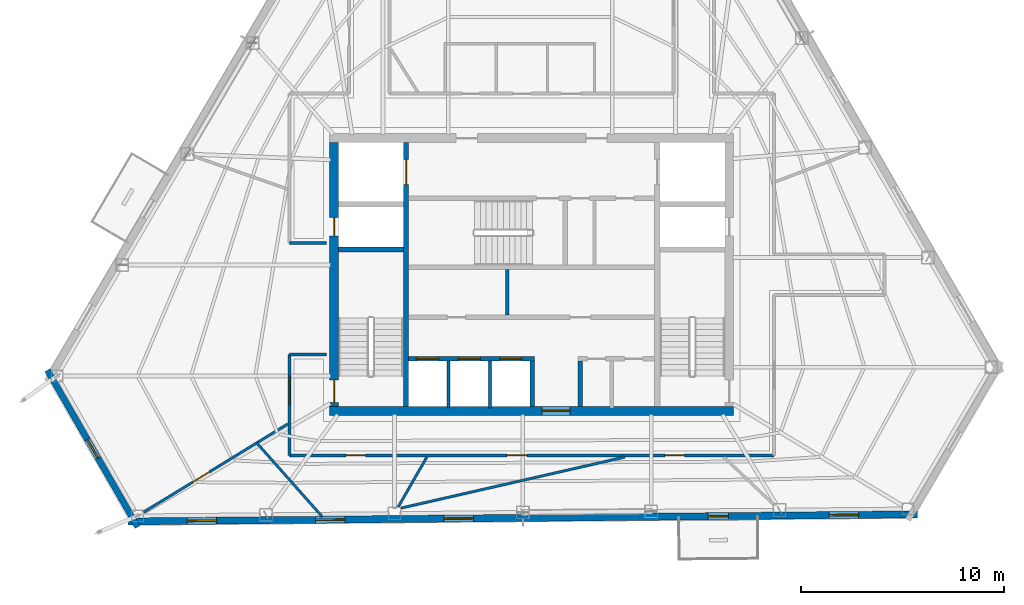
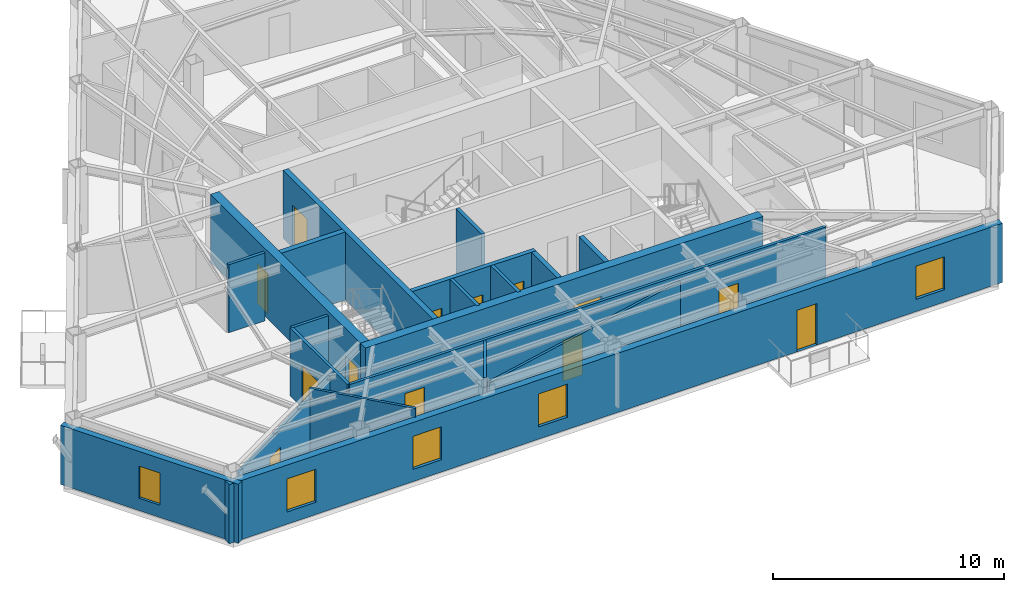
# One storey, part 8 of 14: 20 walls, 13 doors, 5 windows, 18 openings.
"""IFC4 building model written with IfcOpenShell, lengths in metres."""

from ifc_helpers import new_model, si_unit, direction, frame, frame_2d, origin, place, context, subcontext, project, spatial, rectangle, extrude, material, layer, layer_set, type_object, element, fill, save


model = new_model("IFC4")

# Units and contexts
model_context = context("Model", 3, precision=1e-05, world=origin(), true_north=direction((0.0, 1.0)))
body_context = subcontext(model_context, "Body", "Model", "MODEL_VIEW")
ifc_project = project(units=[si_unit("LENGTHUNIT", "METRE"), si_unit("AREAUNIT", "SQUARE_METRE"), si_unit("VOLUMEUNIT", "CUBIC_METRE"), si_unit("PLANEANGLEUNIT", "RADIAN"), si_unit("MASSUNIT", "GRAM", prefix="KILO")], contexts=[model_context])

# Site, building, storey
site_placement = place(None, origin())
site = spatial("IfcSite", under=ifc_project, at=site_placement, CompositionType="ELEMENT")
building_placement = place(site_placement, origin())
building = spatial("IfcBuilding", under=site, at=building_placement, Name="Kavelnor Concourse Tower", CompositionType="ELEMENT")
storey_placement = place(building_placement, frame((0.0, 0.0, 215.050048828125)))
storey = spatial("IfcBuildingStorey", under=building, at=storey_placement, Name="L54", CompositionType="ELEMENT", Elevation=215.050048828125)

# Wall, opening, door
ifc_material_1 = material(Name="Concrete C50/60", Category="concrete")
ifc_layer_1 = layer(ifc_material_1, 0.43994140625, Name="Concrete C50/60")
ifc_layer_set_1 = layer_set([ifc_layer_1], Name="Concrete C50/60")
wall_type_1 = type_object("IfcWallType", Name="WL-CORE-Z3-440", PredefinedType="SOLIDWALL", material=ifc_layer_set_1)
wall_1_placement = place(storey_placement, frame((28.0400390625, 9.3798828125, 0.0), z_axis=(0.0, 0.0, 1.0), x_axis=(1.0, 0.0, 0.0)))
wall_1 = element("IfcWall", 1, at=wall_1_placement, inside=storey, type_object=wall_type_1, Name="L54 Central Core South Shear Wall", PredefinedType="SOLIDWALL", context=body_context, shape_type="SweptSolid", body=[
    extrude(rectangle(XDim=19.919921875, YDim=0.43994140625, at=frame_2d((9.9599609375, 0.0))), origin(), (0.0, 0.0, 1.0), 3.599853515625),
])
opening_1_placement = place(wall_1_placement, frame((10.4599609375, 0.0, 0.0)))
opening_1 = element("IfcOpeningElement", 2, at=opening_1_placement, cuts=wall_1, Name="Opening SD-140", PredefinedType="OPENING", context=body_context, shape_type="SweptSolid", body=[
    extrude(rectangle(XDim=1.39990234375, YDim=2.199951171875, at=frame_2d((0.699951171875, 1.10009765625))), frame((0.0, 0.22998046875, 0.0), z_axis=(0.0, -1.0, 0.0), x_axis=(1.0, 0.0, 0.0)), (0.0, 0.0, 1.0), 0.4599609375),
])
ifc_material_2 = material(Name="Solid-core hardwood timber", Category="wood")
door_type_1 = type_object("IfcDoorType", Name="DR-SUITE-ENTRY-1400", OperationType="NOTDEFINED", PredefinedType="DOOR", material=ifc_material_2)
door_1_placement = place(opening_1_placement, origin())
door_1 = element("IfcDoor", 3, at=door_1_placement, inside=storey, type_object=door_type_1, Name="L54 Passenger Lift Lobby Entry Door", OperationType="SINGLE_SWING_LEFT", OverallHeight=2.199951171875, OverallWidth=1.39990234375, PredefinedType="DOOR", context=body_context, shape_type="SweptSolid", body=[
    extrude(rectangle(XDim=1.39990234375, YDim=2.199951171875, at=frame_2d((0.699951171875, 1.10009765625))), frame((0.0, 0.02490234375, 0.0), z_axis=(0.0, -1.0, 0.0), x_axis=(1.0, 0.0, 0.0)), (0.0, 0.0, 1.0), 0.050048828125),
])
fill(opening_1, door_1)

# Wall, openings, doors
wall_2_placement = place(storey_placement, frame((28.260009765625, 9.60009765625, 0.0), z_axis=(0.0, 0.0, 1.0), x_axis=(0.0, 1.0, 0.0)))
wall_2 = element("IfcWall", 4, at=wall_2_placement, inside=storey, type_object=wall_type_1, Name="L54 Central Core West Shear Wall", PredefinedType="SOLIDWALL", context=body_context, shape_type="SweptSolid", body=[
    extrude(rectangle(XDim=13.0, YDim=0.43994140625, at=frame_2d((6.5, 0.0))), origin(), (0.0, 0.0, 1.0), 3.599853515625),
])
opening_2_placement = place(wall_2_placement, frame((0.199951171875, 0.0, 0.0)))
opening_2 = element("IfcOpeningElement", 5, at=opening_2_placement, cuts=wall_2, Name="Opening FD-110", PredefinedType="OPENING", context=body_context, shape_type="SweptSolid", body=[
    extrude(rectangle(XDim=1.10009765625, YDim=2.14990234375, at=frame_2d((0.550048828125, 1.074951171875))), frame((0.0, 0.22998046875, 0.0), z_axis=(0.0, -1.0, 0.0), x_axis=(1.0, 0.0, 0.0)), (0.0, 0.0, 1.0), 0.4599609375),
])
opening_3_placement = place(wall_2_placement, frame((8.39990234375, 0.0, 0.0)))
opening_3 = element("IfcOpeningElement", 6, at=opening_3_placement, cuts=wall_2, Name="Opening FD-090", PredefinedType="OPENING", context=body_context, shape_type="SweptSolid", body=[
    extrude(rectangle(XDim=0.89990234375, YDim=2.10009765625, at=frame_2d((0.449951171875, 1.050048828125))), frame((0.0, 0.22998046875, 0.0), z_axis=(0.0, -1.0, 0.0), x_axis=(1.0, 0.0, 0.0)), (0.0, 0.0, 1.0), 0.4599609375),
])
ifc_material_3 = material(Name="Steel Grade 350", Category="steel")
door_type_2 = type_object("IfcDoorType", Name="DR-RISER-FIRE-900", OperationType="NOTDEFINED", PredefinedType="DOOR", material=ifc_material_3)
door_2_placement = place(opening_3_placement, origin())
door_2 = element("IfcDoor", 7, at=door_2_placement, inside=storey, type_object=door_type_2, Name="L54 West Riser Access Door", OperationType="SINGLE_SWING_RIGHT", OverallHeight=2.10009765625, OverallWidth=0.89990234375, PredefinedType="DOOR", context=body_context, shape_type="SweptSolid", body=[
    extrude(rectangle(XDim=0.89990234375, YDim=2.10009765625, at=frame_2d((0.449951171875, 1.050048828125))), frame((0.0, 0.02490234375, 0.0), z_axis=(0.0, -1.0, 0.0), x_axis=(1.0, 0.0, 0.0)), (0.0, 0.0, 1.0), 0.050048828125),
])
fill(opening_3, door_2)
door_type_3 = type_object("IfcDoorType", Name="DR-STAIR-FIRE-1100", OperationType="NOTDEFINED", PredefinedType="DOOR", material=ifc_material_3)
door_3_placement = place(opening_2_placement, origin())
door_3 = element("IfcDoor", 8, at=door_3_placement, inside=storey, type_object=door_type_3, Name="L54 Stair ST1 Fire Door", OperationType="SINGLE_SWING_LEFT", OverallHeight=2.14990234375, OverallWidth=1.10009765625, PredefinedType="DOOR", context=body_context, shape_type="SweptSolid", body=[
    extrude(rectangle(XDim=1.10009765625, YDim=2.14990234375, at=frame_2d((0.550048828125, 1.074951171875))), frame((0.0, 0.02490234375, 0.0), z_axis=(0.0, -1.0, 0.0), x_axis=(1.0, 0.0, 0.0)), (0.0, 0.0, 1.0), 0.050048828125),
])
fill(opening_2, door_3)

# Wall, opening, window
ifc_material_4 = material(Name="Buff ironspot clay face brick masonry", Category="masonry")
ifc_layer_2 = layer(ifc_material_4, 0.300048828125, Name="Buff ironspot clay face brick masonry")
ifc_layer_set_2 = layer_set([ifc_layer_2], Name="Buff ironspot clay face brick masonry")
wall_type_2 = type_object("IfcWallType", Name="WL-EXT-BUFF-BRICK-FOLD-300", PredefinedType="STANDARD", material=ifc_layer_set_2)
wall_3_placement = place(storey_placement, frame((18.583251953125, 3.649658203125, 0.0), z_axis=(0.0, 0.0, 1.0), x_axis=(-0.498897804032, 0.866660822428, 0.0)))
wall_3 = element("IfcWall", 9, at=wall_3_placement, inside=storey, type_object=wall_type_2, Name="L54 Exterior Brick Facade Wall E2", PredefinedType="STANDARD", context=body_context, shape_type="SweptSolid", body=[
    extrude(rectangle(XDim=8.921630859375, YDim=0.300048828125, at=frame_2d((4.4609375, 0.0))), origin(), (0.0, 0.0, 1.0), 3.1318359375),
])
opening_4_placement = place(wall_3_placement, frame((3.935791015625, 0.0, 0.64990234375)))
opening_4 = element("IfcOpeningElement", 10, at=opening_4_placement, cuts=wall_3, Name="Opening W-06", PredefinedType="OPENING", context=body_context, shape_type="SweptSolid", body=[
    extrude(rectangle(XDim=1.050048828125, YDim=1.699951171875, at=frame_2d((0.52490234375, 0.85009765625))), frame((0.0, 0.16015625, 0.0), z_axis=(0.0, -1.0, 0.0), x_axis=(1.0, 0.0, 0.0)), (0.0, 0.0, 1.0), 0.320068359375),
])
ifc_material_5 = material(Name="Double low-E argon insulated glazing", Category="glass")
window_type_1 = type_object("IfcWindowType", Name="WIN-FOLD-1050", PartitioningType="SINGLE_PANEL", PredefinedType="WINDOW", material=ifc_material_5)
window_1_placement = place(opening_4_placement, origin())
window_1 = element("IfcWindow", 11, at=window_1_placement, inside=storey, type_object=window_type_1, Name="L54 Chamfer-Fold Facet Window C1", OverallHeight=1.699951171875, OverallWidth=1.050048828125, PartitioningType="SINGLE_PANEL", PredefinedType="WINDOW", context=body_context, shape_type="SweptSolid", body=[
    extrude(rectangle(XDim=1.050048828125, YDim=1.699951171875, at=frame_2d((0.52490234375, 0.85009765625))), frame((0.0, 0.030029296875, 0.0), z_axis=(0.0, -1.0, 0.0), x_axis=(1.0, 0.0, 0.0)), (0.0, 0.0, 1.0), 0.06005859375),
])
fill(opening_4, window_1)

# Wall, openings, door, windows
ifc_material_6 = material(Name="Red-ochre clay face brick masonry", Category="masonry")
ifc_layer_3 = layer(ifc_material_6, 0.35009765625, Name="Red-ochre clay face brick masonry")
ifc_layer_set_3 = layer_set([ifc_layer_3], Name="Red-ochre clay face brick masonry")
wall_type_3 = type_object("IfcWallType", Name="WL-EXT-RED-BRICK-PIER-350", PredefinedType="STANDARD", material=ifc_layer_set_3)
wall_4_placement = place(storey_placement, frame((57.02734375, 4.276611328125, 0.0), z_axis=(0.0, 0.0, 1.0), x_axis=(-0.999959560683, -0.008993163978, 0.0)))
wall_4 = element("IfcWall", 12, at=wall_4_placement, inside=storey, type_object=wall_type_3, Name="L54 Exterior Brick Facade Wall E3", PredefinedType="STANDARD", context=body_context, shape_type="SweptSolid", body=[
    extrude(rectangle(XDim=38.92919921875, YDim=0.35009765625, at=frame_2d((19.464599609375, 0.0))), origin(), (0.0, 0.0, 1.0), 3.1318359375),
])
opening_5_placement = place(wall_4_placement, frame((9.332275390625, 0.0, 0.0)))
opening_5 = element("IfcOpeningElement", 13, at=opening_5_placement, cuts=wall_4, Name="Opening BD-100", PredefinedType="OPENING", context=body_context, shape_type="SweptSolid", body=[
    extrude(rectangle(XDim=1.0, YDim=2.199951171875, at=frame_2d((0.5, 1.10009765625))), frame((0.0, 0.18505859375, 0.0), z_axis=(0.0, -1.0, 0.0), x_axis=(1.0, 0.0, 0.0)), (0.0, 0.0, 1.0), 0.3701171875),
])
opening_6_placement = place(wall_4_placement, frame((34.55908203125, 0.0, 0.64990234375)))
opening_6 = element("IfcOpeningElement", 14, at=opening_6_placement, cuts=wall_4, Name="Opening W-03", PredefinedType="OPENING", context=body_context, shape_type="SweptSolid", body=[
    extrude(rectangle(XDim=1.449951171875, YDim=1.75, at=frame_2d((0.72509765625, 0.875))), frame((0.0, 0.18505859375, 0.0), z_axis=(0.0, -1.0, 0.0), x_axis=(1.0, 0.0, 0.0)), (0.0, 0.0, 1.0), 0.3701171875),
])
opening_7_placement = place(wall_4_placement, frame((28.2294921875, 0.0, 0.64990234375)))
opening_7 = element("IfcOpeningElement", 15, at=opening_7_placement, cuts=wall_4, Name="Opening W-03", PredefinedType="OPENING", context=body_context, shape_type="SweptSolid", body=[
    extrude(rectangle(XDim=1.449951171875, YDim=1.75, at=frame_2d((0.72509765625, 0.875))), frame((0.0, 0.18505859375, 0.0), z_axis=(0.0, -1.0, 0.0), x_axis=(1.0, 0.0, 0.0)), (0.0, 0.0, 1.0), 0.3701171875),
])
opening_8_placement = place(wall_4_placement, frame((21.900146484375, 0.0, 0.64990234375)))
opening_8 = element("IfcOpeningElement", 16, at=opening_8_placement, cuts=wall_4, Name="Opening W-03", PredefinedType="OPENING", context=body_context, shape_type="SweptSolid", body=[
    extrude(rectangle(XDim=1.449951171875, YDim=1.75, at=frame_2d((0.72509765625, 0.875))), frame((0.0, 0.18505859375, 0.0), z_axis=(0.0, -1.0, 0.0), x_axis=(1.0, 0.0, 0.0)), (0.0, 0.0, 1.0), 0.3701171875),
])
opening_9_placement = place(wall_4_placement, frame((2.91162109375, 0.0, 0.64990234375)))
opening_9 = element("IfcOpeningElement", 17, at=opening_9_placement, cuts=wall_4, Name="Opening W-03", PredefinedType="OPENING", context=body_context, shape_type="SweptSolid", body=[
    extrude(rectangle(XDim=1.449951171875, YDim=1.75, at=frame_2d((0.72509765625, 0.875))), frame((0.0, 0.18505859375, 0.0), z_axis=(0.0, -1.0, 0.0), x_axis=(1.0, 0.0, 0.0)), (0.0, 0.0, 1.0), 0.3701171875),
])
ifc_material_7 = material(Name="Anodised aluminium 6063-T6", Category="aluminium")
door_type_4 = type_object("IfcDoorType", Name="DR-BALCONY-EXT-1000", OperationType="NOTDEFINED", PredefinedType="DOOR", material=ifc_material_7)
door_4_placement = place(opening_5_placement, origin())
door_4 = element("IfcDoor", 18, at=door_4_placement, inside=storey, type_object=door_type_4, Name="L54 Tree Balcony 2 Glazed Door", OperationType="SINGLE_SWING_RIGHT", OverallHeight=2.199951171875, OverallWidth=1.0, PredefinedType="DOOR", context=body_context, shape_type="SweptSolid", body=[
    extrude(rectangle(XDim=1.0, YDim=2.199951171875, at=frame_2d((0.5, 1.10009765625))), frame((0.0, 0.02490234375, 0.0), z_axis=(0.0, -1.0, 0.0), x_axis=(1.0, 0.0, 0.0)), (0.0, 0.0, 1.0), 0.050048828125),
])
fill(opening_5, door_4)
window_type_2 = type_object("IfcWindowType", Name="WIN-PIER-Z3-1500", PartitioningType="SINGLE_PANEL", PredefinedType="WINDOW", material=ifc_material_5)
window_2_placement = place(opening_6_placement, origin())
window_2 = element("IfcWindow", 19, at=window_2_placement, inside=storey, type_object=window_type_2, Name="L54 Deep-Set Brick Pier Window F1-B0", OverallHeight=1.75, OverallWidth=1.449951171875, PartitioningType="SINGLE_PANEL", PredefinedType="WINDOW", context=body_context, shape_type="SweptSolid", body=[
    extrude(rectangle(XDim=1.449951171875, YDim=1.75, at=frame_2d((0.72509765625, 0.875))), frame((0.0, 0.030029296875, 0.0), z_axis=(0.0, -1.0, 0.0), x_axis=(1.0, 0.0, 0.0)), (0.0, 0.0, 1.0), 0.06005859375),
])
fill(opening_6, window_2)
window_3_placement = place(opening_7_placement, origin())
window_3 = element("IfcWindow", 20, at=window_3_placement, inside=storey, type_object=window_type_2, Name="L54 Deep-Set Brick Pier Window F1-B1", OverallHeight=1.75, OverallWidth=1.449951171875, PartitioningType="SINGLE_PANEL", PredefinedType="WINDOW", context=body_context, shape_type="SweptSolid", body=[
    extrude(rectangle(XDim=1.449951171875, YDim=1.75, at=frame_2d((0.72509765625, 0.875))), frame((0.0, 0.030029296875, 0.0), z_axis=(0.0, -1.0, 0.0), x_axis=(1.0, 0.0, 0.0)), (0.0, 0.0, 1.0), 0.06005859375),
])
fill(opening_7, window_3)
window_4_placement = place(opening_8_placement, origin())
window_4 = element("IfcWindow", 21, at=window_4_placement, inside=storey, type_object=window_type_2, Name="L54 Deep-Set Brick Pier Window F1-B2", OverallHeight=1.75, OverallWidth=1.449951171875, PartitioningType="SINGLE_PANEL", PredefinedType="WINDOW", context=body_context, shape_type="SweptSolid", body=[
    extrude(rectangle(XDim=1.449951171875, YDim=1.75, at=frame_2d((0.72509765625, 0.875))), frame((0.0, 0.030029296875, 0.0), z_axis=(0.0, -1.0, 0.0), x_axis=(1.0, 0.0, 0.0)), (0.0, 0.0, 1.0), 0.06005859375),
])
fill(opening_8, window_4)
window_5_placement = place(opening_9_placement, origin())
window_5 = element("IfcWindow", 22, at=window_5_placement, inside=storey, type_object=window_type_2, Name="L54 Deep-Set Brick Pier Window F1-B5", OverallHeight=1.75, OverallWidth=1.449951171875, PartitioningType="SINGLE_PANEL", PredefinedType="WINDOW", context=body_context, shape_type="SweptSolid", body=[
    extrude(rectangle(XDim=1.449951171875, YDim=1.75, at=frame_2d((0.72509765625, 0.875))), frame((0.0, 0.030029296875, 0.0), z_axis=(0.0, -1.0, 0.0), x_axis=(1.0, 0.0, 0.0)), (0.0, 0.0, 1.0), 0.06005859375),
])
fill(opening_9, window_5)

# Wall
ifc_material_8 = material(Name="Gypsum plasterboard on light-gauge steel studs", Category="steel")
ifc_layer_4 = layer(ifc_material_8, 0.14501953125, Name="Gypsum plasterboard on light-gauge steel studs")
ifc_layer_set_4 = layer_set([ifc_layer_4], Name="Gypsum plasterboard on light-gauge steel studs")
wall_type_4 = type_object("IfcWallType", Name="WL-INT-CORR-145", PredefinedType="PARTITIONING", material=ifc_layer_set_4)
wall_5_placement = place(storey_placement, frame((27.8798828125, 17.64990234375, 0.0), z_axis=(0.0, 0.0, 1.0), x_axis=(-1.0, 0.0, 0.0)))
element("IfcWall", 23, at=wall_5_placement, inside=storey, type_object=wall_type_4, Name="L54 Corridor Wall WL-L54-CR-01", PredefinedType="PARTITIONING", context=body_context, shape_type="SweptSolid", body=[
    extrude(rectangle(XDim=1.81982421875, YDim=0.14501953125, at=frame_2d((0.909912109375, 0.0))), origin(), (0.0, 0.0, 1.0), 3.599853515625),
])

# Wall, openings, doors
wall_6_placement = place(storey_placement, frame((49.93994140625, 7.179931640625, 0.0), z_axis=(0.0, 0.0, 1.0), x_axis=(-1.0, 0.0, 0.0)))
wall_6 = element("IfcWall", 24, at=wall_6_placement, inside=storey, type_object=wall_type_4, Name="L54 Corridor Wall WL-L54-CR-17", PredefinedType="PARTITIONING", context=body_context, shape_type="SweptSolid", body=[
    extrude(rectangle(XDim=23.8798828125, YDim=0.14501953125, at=frame_2d((11.93994140625, 0.0))), origin(), (0.0, 0.0, 1.0), 3.599853515625),
])
opening_10_placement = place(wall_6_placement, frame((20.119384765625, 0.0, 0.0)))
opening_10 = element("IfcOpeningElement", 25, at=opening_10_placement, cuts=wall_6, Name="Opening OD-098", PredefinedType="OPENING", context=body_context, shape_type="SweptSolid", body=[
    extrude(rectangle(XDim=0.97998046875, YDim=2.14990234375, at=frame_2d((0.489990234375, 1.074951171875))), frame((0.0, 0.08251953125, 0.0), z_axis=(0.0, -1.0, 0.0), x_axis=(1.0, 0.0, 0.0)), (0.0, 0.0, 1.0), 0.1650390625),
])
opening_11_placement = place(wall_6_placement, frame((12.17919921875, 0.0, 0.0)))
opening_11 = element("IfcOpeningElement", 26, at=opening_11_placement, cuts=wall_6, Name="Opening OD-098", PredefinedType="OPENING", context=body_context, shape_type="SweptSolid", body=[
    extrude(rectangle(XDim=0.97998046875, YDim=2.14990234375, at=frame_2d((0.489990234375, 1.074951171875))), frame((0.0, 0.08251953125, 0.0), z_axis=(0.0, -1.0, 0.0), x_axis=(1.0, 0.0, 0.0)), (0.0, 0.0, 1.0), 0.1650390625),
])
opening_12_placement = place(wall_6_placement, frame((4.39208984375, 0.0, 0.0)))
opening_12 = element("IfcOpeningElement", 27, at=opening_12_placement, cuts=wall_6, Name="Opening OD-098", PredefinedType="OPENING", context=body_context, shape_type="SweptSolid", body=[
    extrude(rectangle(XDim=0.97998046875, YDim=2.14990234375, at=frame_2d((0.489990234375, 1.074951171875))), frame((0.0, 0.08251953125, 0.0), z_axis=(0.0, -1.0, 0.0), x_axis=(1.0, 0.0, 0.0)), (0.0, 0.0, 1.0), 0.1650390625),
])
door_type_5 = type_object("IfcDoorType", Name="DR-OFFICE-980", OperationType="NOTDEFINED", PredefinedType="DOOR", material=ifc_material_2)
door_5_placement = place(opening_10_placement, origin())
door_5 = element("IfcDoor", 28, at=door_5_placement, inside=storey, type_object=door_type_5, Name="L54 Architectural Design Studio 05 Door", OperationType="SINGLE_SWING_RIGHT", OverallHeight=2.14990234375, OverallWidth=0.97998046875, PredefinedType="DOOR", context=body_context, shape_type="SweptSolid", body=[
    extrude(rectangle(XDim=0.97998046875, YDim=2.14990234375, at=frame_2d((0.489990234375, 1.074951171875))), frame((0.0, 0.02490234375, 0.0), z_axis=(0.0, -1.0, 0.0), x_axis=(1.0, 0.0, 0.0)), (0.0, 0.0, 1.0), 0.050048828125),
])
fill(opening_10, door_5)
door_6_placement = place(opening_11_placement, origin())
door_6 = element("IfcDoor", 29, at=door_6_placement, inside=storey, type_object=door_type_5, Name="L54 Architectural Design Studio 07 Door", OperationType="SINGLE_SWING_RIGHT", OverallHeight=2.14990234375, OverallWidth=0.97998046875, PredefinedType="DOOR", context=body_context, shape_type="SweptSolid", body=[
    extrude(rectangle(XDim=0.97998046875, YDim=2.14990234375, at=frame_2d((0.489990234375, 1.074951171875))), frame((0.0, 0.02490234375, 0.0), z_axis=(0.0, -1.0, 0.0), x_axis=(1.0, 0.0, 0.0)), (0.0, 0.0, 1.0), 0.050048828125),
])
fill(opening_11, door_6)
door_7_placement = place(opening_12_placement, origin())
door_7 = element("IfcDoor", 30, at=door_7_placement, inside=storey, type_object=door_type_5, Name="L54 Staff Breakout Pantry 08 Door", OperationType="SINGLE_SWING_LEFT", OverallHeight=2.14990234375, OverallWidth=0.97998046875, PredefinedType="DOOR", context=body_context, shape_type="SweptSolid", body=[
    extrude(rectangle(XDim=0.97998046875, YDim=2.14990234375, at=frame_2d((0.489990234375, 1.074951171875))), frame((0.0, 0.02490234375, 0.0), z_axis=(0.0, -1.0, 0.0), x_axis=(1.0, 0.0, 0.0)), (0.0, 0.0, 1.0), 0.050048828125),
])
fill(opening_12, door_7)

# Wall, opening, door
wall_7_placement = place(storey_placement, frame((26.06005859375, 7.179931640625, 0.0), z_axis=(0.0, 0.0, 1.0), x_axis=(0.0, 1.0, 0.0)))
wall_7 = element("IfcWall", 31, at=wall_7_placement, inside=storey, type_object=wall_type_4, Name="L54 Corridor Wall WL-L54-CR-18", PredefinedType="PARTITIONING", context=body_context, shape_type="SweptSolid", body=[
    extrude(rectangle(XDim=4.969970703125, YDim=0.14501953125, at=frame_2d((2.48486328125, 0.0))), origin(), (0.0, 0.0, 1.0), 3.599853515625),
])
opening_13_placement = place(wall_7_placement, frame((2.4970703125, 0.0, 0.0)))
opening_13 = element("IfcOpeningElement", 32, at=opening_13_placement, cuts=wall_7, Name="Opening SD-140", PredefinedType="OPENING", context=body_context, shape_type="SweptSolid", body=[
    extrude(rectangle(XDim=1.39990234375, YDim=2.199951171875, at=frame_2d((0.699951171875, 1.10009765625))), frame((0.0, 0.08251953125, 0.0), z_axis=(0.0, -1.0, 0.0), x_axis=(1.0, 0.0, 0.0)), (0.0, 0.0, 1.0), 0.1650390625),
])
door_8_placement = place(opening_13_placement, origin())
door_8 = element("IfcDoor", 33, at=door_8_placement, inside=storey, type_object=door_type_1, Name="L54 Architectural Design Studio 04 Door", OperationType="SINGLE_SWING_LEFT", OverallHeight=2.199951171875, OverallWidth=1.39990234375, PredefinedType="DOOR", context=body_context, shape_type="SweptSolid", body=[
    extrude(rectangle(XDim=1.39990234375, YDim=2.199951171875, at=frame_2d((0.699951171875, 1.10009765625))), frame((0.0, 0.02490234375, 0.0), z_axis=(0.0, -1.0, 0.0), x_axis=(1.0, 0.0, 0.0)), (0.0, 0.0, 1.0), 0.050048828125),
])
fill(opening_13, door_8)

# Walls
wall_8_placement = place(storey_placement, frame((26.06005859375, 12.14990234375, 0.0), z_axis=(0.0, 0.0, 1.0), x_axis=(1.0, 0.0, 0.0)))
element("IfcWall", 34, at=wall_8_placement, inside=storey, type_object=wall_type_4, Name="L54 Corridor Wall WL-L54-CR-19", PredefinedType="PARTITIONING", context=body_context, shape_type="SweptSolid", body=[
    extrude(rectangle(XDim=1.81982421875, YDim=0.14501953125, at=frame_2d((0.909912109375, 0.0))), origin(), (0.0, 0.0, 1.0), 3.599853515625),
])
ifc_layer_5 = layer(ifc_material_8, 0.1650390625, Name="Gypsum plasterboard on light-gauge steel studs")
ifc_layer_set_5 = layer_set([ifc_layer_5], Name="Gypsum plasterboard on light-gauge steel studs")
wall_type_5 = type_object("IfcWallType", Name="WL-INT-FIRE-165", PredefinedType="PARTITIONING", material=ifc_layer_set_5)
for number, where, z_axis, x_axis, name in (
    (35, (33.89990234375, 9.52001953125, 0.0), (0.0, 0.0, 1.0), (0.0, 1.0, 0.0), "L54 Lift Shaft Divider LP7"),
    (36, (35.949951171875, 9.52001953125, 0.0), (0.0, 0.0, 1.0), (0.0, 1.0, 0.0), "L54 Lift Shaft Divider LP8"),
):
    element("IfcWall", number, at=place(storey_placement, frame(where, z_axis=z_axis, x_axis=x_axis)), inside=storey, type_object=wall_type_5, Name=name, PredefinedType="PARTITIONING", context=body_context, shape_type="SweptSolid", body=[
        extrude(rectangle(XDim=2.320068359375, YDim=0.1650390625, at=frame_2d((1.16015625, 0.0))), origin(), (0.0, 0.0, 1.0), 3.599853515625),
    ])
wall_9_placement = place(storey_placement, frame((36.800048828125, 14.10009765625, 0.0), z_axis=(0.0, 0.0, 1.0), x_axis=(0.0, 1.0, 0.0)))
element("IfcWall", 37, at=wall_9_placement, inside=storey, type_object=wall_type_5, Name="L54 Reclaimed Core Partition A", PredefinedType="PARTITIONING", context=body_context, shape_type="SweptSolid", body=[
    extrude(rectangle(XDim=2.239990234375, YDim=0.1650390625, at=frame_2d((1.1201171875, 0.0))), origin(), (0.0, 0.0, 1.0), 3.599853515625),
])

# Wall, opening, door
ifc_layer_6 = layer(ifc_material_8, 0.125, Name="Gypsum plasterboard on light-gauge steel studs")
ifc_layer_set_6 = layer_set([ifc_layer_6], Name="Gypsum plasterboard on light-gauge steel studs")
wall_type_6 = type_object("IfcWallType", Name="WL-INT-SUITE-125", PredefinedType="PARTITIONING", material=ifc_layer_set_6)
wall_10_placement = place(storey_placement, frame((25.9794921875, 8.735595703125, 0.0), z_axis=(0.0, 0.0, 1.0), x_axis=(-0.852694447683, -0.522409972043, 0.0)))
wall_10 = element("IfcWall", 38, at=wall_10_placement, inside=storey, type_object=wall_type_6, Name="L54 Radial Suite Partition 04", PredefinedType="PARTITIONING", context=body_context, shape_type="SweptSolid", body=[
    extrude(rectangle(XDim=8.319580078125, YDim=0.125, at=frame_2d((4.15966796875, 0.0))), origin(), (0.0, 0.0, 1.0), 3.140869140625),
])
opening_14_placement = place(wall_10_placement, frame((4.522216796875, 0.0, 0.0)))
opening_14 = element("IfcOpeningElement", 39, at=opening_14_placement, cuts=wall_10, Name="Opening OD-098", PredefinedType="OPENING", context=body_context, shape_type="SweptSolid", body=[
    extrude(rectangle(XDim=0.97998046875, YDim=2.14990234375, at=frame_2d((0.489990234375, 1.074951171875))), frame((0.0, 0.072509765625, 0.0), z_axis=(0.0, -1.0, 0.0), x_axis=(1.0, 0.0, 0.0)), (0.0, 0.0, 1.0), 0.14501953125),
])
door_9_placement = place(opening_14_placement, origin())
door_9 = element("IfcDoor", 40, at=door_9_placement, inside=storey, type_object=door_type_5, Name="L54 Architectural Design Studio 06 Door", OperationType="SINGLE_SWING_LEFT", OverallHeight=2.14990234375, OverallWidth=0.97998046875, PredefinedType="DOOR", context=body_context, shape_type="SweptSolid", body=[
    extrude(rectangle(XDim=0.97998046875, YDim=2.14990234375, at=frame_2d((0.489990234375, 1.074951171875))), frame((0.0, 0.02490234375, 0.0), z_axis=(0.0, -1.0, 0.0), x_axis=(1.0, 0.0, 0.0)), (0.0, 0.0, 1.0), 0.050048828125),
])
fill(opening_14, door_9)

# Walls
wall_11_placement = place(storey_placement, frame((32.834228515625, 7.099609375, 0.0), z_axis=(0.0, 0.0, 1.0), x_axis=(-0.497706658822, -0.867345422404, 0.0)))
element("IfcWall", 41, at=wall_11_placement, inside=storey, type_object=wall_type_6, Name="L54 Radial Suite Partition 05", PredefinedType="PARTITIONING", context=body_context, shape_type="SweptSolid", body=[
    extrude(rectangle(XDim=2.832763671875, YDim=0.125, at=frame_2d((1.41650390625, 0.0))), origin(), (0.0, 0.0, 1.0), 3.599853515625),
])
wall_12_placement = place(storey_placement, frame((24.46142578125, 7.787841796875, 0.0), z_axis=(0.0, 0.0, 1.0), x_axis=(0.663882302214, -0.747837073705, 0.0)))
element("IfcWall", 42, at=wall_12_placement, inside=storey, type_object=wall_type_6, Name="L54 Suite Subdivision Partition 04", PredefinedType="PARTITIONING", context=body_context, shape_type="SweptSolid", body=[
    extrude(rectangle(XDim=4.84765625, YDim=0.125, at=frame_2d((2.423828125, 0.0))), origin(), (0.0, 0.0, 1.0), 3.599853515625),
])
wall_13_placement = place(storey_placement, frame((31.56396484375, 4.586181640625, 0.0), z_axis=(0.0, 0.0, 1.0), x_axis=(0.97496923537, 0.222339807685, 0.0)))
element("IfcWall", 43, at=wall_13_placement, inside=storey, type_object=wall_type_6, Name="L54 Suite Subdivision Partition 05", PredefinedType="PARTITIONING", context=body_context, shape_type="SweptSolid", body=[
    extrude(rectangle(XDim=11.304443359375, YDim=0.125, at=frame_2d((5.65234375, 0.0))), origin(), (0.0, 0.0, 1.0), 3.3388671875),
])

# Wall, openings, doors
ifc_layer_7 = layer(ifc_material_1, 0.219970703125, Name="Concrete C50/60")
ifc_layer_set_7 = layer_set([ifc_layer_7], Name="Concrete C50/60")
wall_type_7 = type_object("IfcWallType", Name="WL-SHAFT-220", PredefinedType="SOLIDWALL", material=ifc_layer_set_7)
wall_14_placement = place(storey_placement, frame((31.93994140625, 11.949951171875, 0.0), z_axis=(0.0, 0.0, 1.0), x_axis=(1.0, 0.0, 0.0)))
wall_14 = element("IfcWall", 44, at=wall_14_placement, inside=storey, type_object=wall_type_7, Name="L54 High-Rise Lift Bank North Wall", PredefinedType="SOLIDWALL", context=body_context, shape_type="SweptSolid", body=[
    extrude(rectangle(XDim=6.18994140625, YDim=0.219970703125, at=frame_2d((3.094970703125, 0.0))), origin(), (0.0, 0.0, 1.0), 3.599853515625),
])
opening_15_placement = place(wall_14_placement, frame((0.385009765625, 0.0, 0.0)))
opening_15 = element("IfcOpeningElement", 45, at=opening_15_placement, cuts=wall_14, Name="Opening LD-110", PredefinedType="OPENING", context=body_context, shape_type="SweptSolid", body=[
    extrude(rectangle(XDim=1.10009765625, YDim=2.199951171875, at=frame_2d((0.550048828125, 1.10009765625))), frame((0.0, 0.1201171875, 0.0), z_axis=(0.0, -1.0, 0.0), x_axis=(1.0, 0.0, 0.0)), (0.0, 0.0, 1.0), 0.239990234375),
])
opening_16_placement = place(wall_14_placement, frame((2.43505859375, 0.0, 0.0)))
opening_16 = element("IfcOpeningElement", 46, at=opening_16_placement, cuts=wall_14, Name="Opening LD-110", PredefinedType="OPENING", context=body_context, shape_type="SweptSolid", body=[
    extrude(rectangle(XDim=1.10009765625, YDim=2.199951171875, at=frame_2d((0.550048828125, 1.10009765625))), frame((0.0, 0.1201171875, 0.0), z_axis=(0.0, -1.0, 0.0), x_axis=(1.0, 0.0, 0.0)), (0.0, 0.0, 1.0), 0.239990234375),
])
opening_17_placement = place(wall_14_placement, frame((4.485107421875, 0.0, 0.0)))
opening_17 = element("IfcOpeningElement", 47, at=opening_17_placement, cuts=wall_14, Name="Opening LD-110", PredefinedType="OPENING", context=body_context, shape_type="SweptSolid", body=[
    extrude(rectangle(XDim=1.10009765625, YDim=2.199951171875, at=frame_2d((0.550048828125, 1.10009765625))), frame((0.0, 0.1201171875, 0.0), z_axis=(0.0, -1.0, 0.0), x_axis=(1.0, 0.0, 0.0)), (0.0, 0.0, 1.0), 0.239990234375),
])
door_type_6 = type_object("IfcDoorType", Name="DR-LIFT-SLIDING-1100", OperationType="NOTDEFINED", PredefinedType="DOOR", material=ifc_material_3)
door_10_placement = place(opening_15_placement, origin())
door_10 = element("IfcDoor", 48, at=door_10_placement, inside=storey, type_object=door_type_6, Name="L54 Lift LP7 Landing Door", OperationType="DOUBLE_DOOR_SLIDING", OverallHeight=2.199951171875, OverallWidth=1.10009765625, PredefinedType="DOOR", context=body_context, shape_type="SweptSolid", body=[
    extrude(rectangle(XDim=1.10009765625, YDim=2.199951171875, at=frame_2d((0.550048828125, 1.10009765625))), frame((0.0, 0.02490234375, 0.0), z_axis=(0.0, -1.0, 0.0), x_axis=(1.0, 0.0, 0.0)), (0.0, 0.0, 1.0), 0.050048828125),
])
fill(opening_15, door_10)
door_11_placement = place(opening_16_placement, origin())
door_11 = element("IfcDoor", 49, at=door_11_placement, inside=storey, type_object=door_type_6, Name="L54 Lift LP8 Landing Door", OperationType="DOUBLE_DOOR_SLIDING", OverallHeight=2.199951171875, OverallWidth=1.10009765625, PredefinedType="DOOR", context=body_context, shape_type="SweptSolid", body=[
    extrude(rectangle(XDim=1.10009765625, YDim=2.199951171875, at=frame_2d((0.550048828125, 1.10009765625))), frame((0.0, 0.02490234375, 0.0), z_axis=(0.0, -1.0, 0.0), x_axis=(1.0, 0.0, 0.0)), (0.0, 0.0, 1.0), 0.050048828125),
])
fill(opening_16, door_11)
door_12_placement = place(opening_17_placement, origin())
door_12 = element("IfcDoor", 50, at=door_12_placement, inside=storey, type_object=door_type_6, Name="L54 Lift LP9 Landing Door", OperationType="DOUBLE_DOOR_SLIDING", OverallHeight=2.199951171875, OverallWidth=1.10009765625, PredefinedType="DOOR", context=body_context, shape_type="SweptSolid", body=[
    extrude(rectangle(XDim=1.10009765625, YDim=2.199951171875, at=frame_2d((0.550048828125, 1.10009765625))), frame((0.0, 0.02490234375, 0.0), z_axis=(0.0, -1.0, 0.0), x_axis=(1.0, 0.0, 0.0)), (0.0, 0.0, 1.0), 0.050048828125),
])
fill(opening_17, door_12)

# Walls
for number, where, z_axis, x_axis, name in (
    (51, (38.02001953125, 9.60009765625, 0.0), (0.0, 0.0, 1.0), (0.0, 1.0, 0.0), "L54 Lift Lobby Throat West Wall"),
    (52, (40.389892578125, 9.60009765625, 0.0), (0.0, 0.0, 1.0), (0.0, 1.0, 0.0), "L54 Lift Lobby Throat East Wall"),
):
    element("IfcWall", number, at=place(storey_placement, frame(where, z_axis=z_axis, x_axis=x_axis)), inside=storey, type_object=wall_type_7, Name=name, PredefinedType="SOLIDWALL", context=body_context, shape_type="SweptSolid", body=[
        extrude(rectangle(XDim=2.239990234375, YDim=0.219970703125, at=frame_2d((1.1201171875, 0.0))), origin(), (0.0, 0.0, 1.0), 3.599853515625),
    ])

# Wall, opening, door
ifc_layer_8 = layer(ifc_material_1, 0.260009765625, Name="Concrete C50/60")
ifc_layer_set_8 = layer_set([ifc_layer_8], Name="Concrete C50/60")
wall_type_8 = type_object("IfcWallType", Name="WL-SHAFT-260", PredefinedType="SHEAR", material=ifc_layer_set_8)
wall_15_placement = place(storey_placement, frame((31.81005859375, 9.60009765625, 0.0), z_axis=(0.0, 0.0, 1.0), x_axis=(0.0, 1.0, 0.0)))
wall_15 = element("IfcWall", 53, at=wall_15_placement, inside=storey, type_object=wall_type_8, Name="L54 Core West Wing Shear Wall", PredefinedType="SHEAR", context=body_context, shape_type="SweptSolid", body=[
    extrude(rectangle(XDim=13.0, YDim=0.260009765625, at=frame_2d((6.5, 0.0))), origin(), (0.0, 0.0, 1.0), 3.599853515625),
])
opening_18_placement = place(wall_15_placement, frame((10.925048828125, 0.0, 0.0)))
opening_18 = element("IfcOpeningElement", 54, at=opening_18_placement, cuts=wall_15, Name="Opening LD-125", PredefinedType="OPENING", context=body_context, shape_type="SweptSolid", body=[
    extrude(rectangle(XDim=1.25, YDim=2.25, at=frame_2d((0.625, 1.125))), frame((0.0, 0.14013671875, 0.0), z_axis=(0.0, -1.0, 0.0), x_axis=(1.0, 0.0, 0.0)), (0.0, 0.0, 1.0), 0.280029296875),
])
door_type_7 = type_object("IfcDoorType", Name="DR-LIFT-SLIDING-1250", OperationType="NOTDEFINED", PredefinedType="DOOR", material=ifc_material_3)
door_13_placement = place(opening_18_placement, origin())
door_13 = element("IfcDoor", 55, at=door_13_placement, inside=storey, type_object=door_type_7, Name="L54 Emergency Lift FL1 Landing Door", OperationType="DOUBLE_DOOR_SLIDING", OverallHeight=2.25, OverallWidth=1.25, PredefinedType="DOOR", context=body_context, shape_type="SweptSolid", body=[
    extrude(rectangle(XDim=1.25, YDim=2.25, at=frame_2d((0.625, 1.125))), frame((0.0, 0.02490234375, 0.0), z_axis=(0.0, -1.0, 0.0), x_axis=(1.0, 0.0, 0.0)), (0.0, 0.0, 1.0), 0.050048828125),
])
fill(opening_18, door_13)

# Wall
wall_16_placement = place(storey_placement, frame((28.47998046875, 17.330078125, 0.0), z_axis=(0.0, 0.0, 1.0), x_axis=(1.0, 0.0, 0.0)))
element("IfcWall", 56, at=wall_16_placement, inside=storey, type_object=wall_type_8, Name="L54 Stair ST1 North Shaft Wall", PredefinedType="SHEAR", context=body_context, shape_type="SweptSolid", body=[
    extrude(rectangle(XDim=3.199951171875, YDim=0.260009765625, at=frame_2d((1.60009765625, 0.0))), origin(), (0.0, 0.0, 1.0), 3.599853515625),
])

save(model, "model.ifc")
